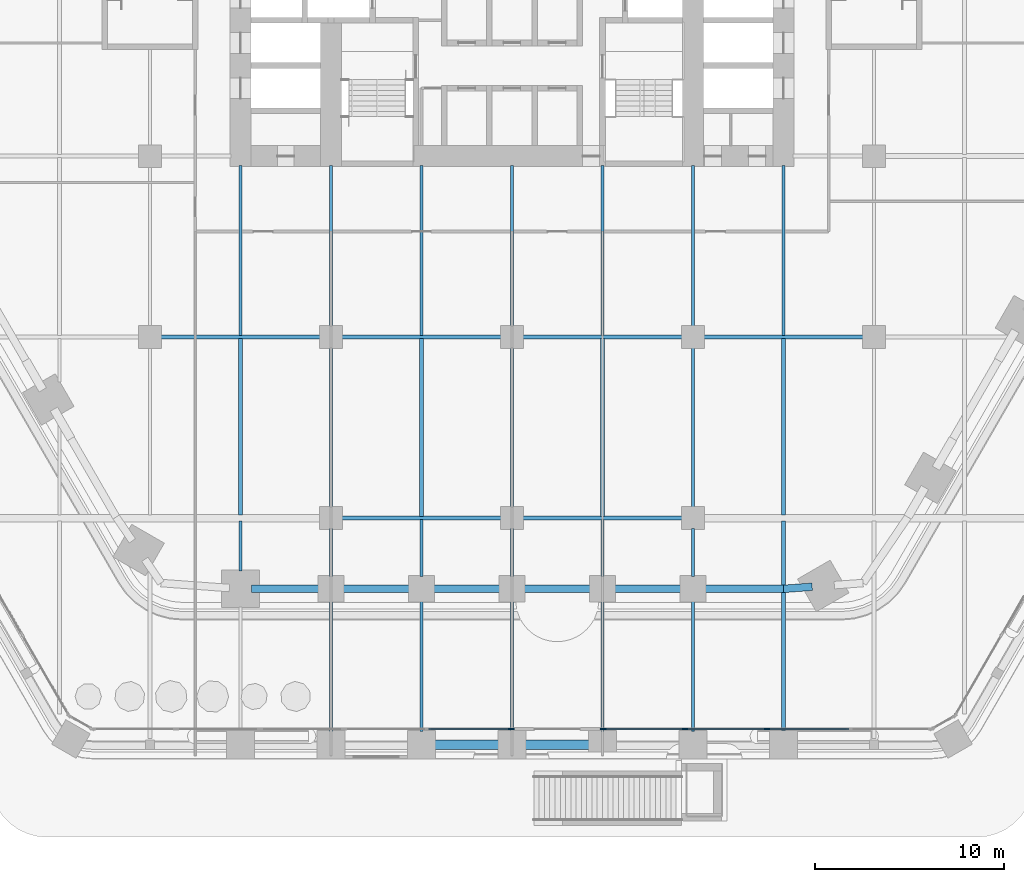
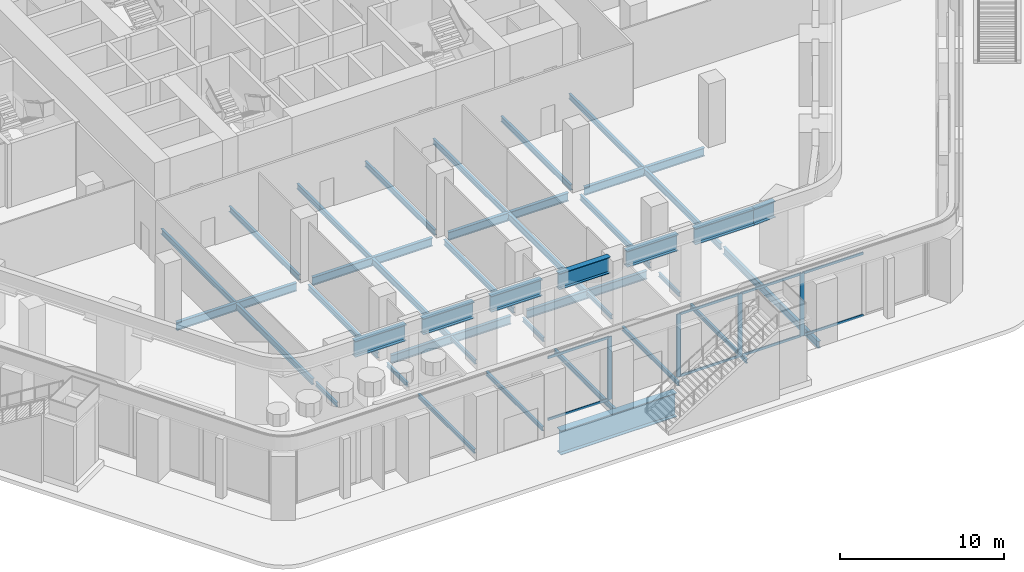
# One storey, part 3 of 34: 40 beams, 12 members, 2 elements without a shape of their own.
"""IFC4 building model written with IfcOpenShell, lengths in metres."""

import ifcopenshell
import ifcopenshell.guid

model = None  # the IFC model being written
_history = None  # IfcOwnerHistory: only IFC2X3 demands one
_inside = {}  # id of a spatial element -> (the spatial element, [elements in it])
_under = {}  # id of a project, library or spatial element -> (it, [spatial elements below it])
_declared = {}  # id of a project -> (the project, [libraries it declares])
_typed = {}  # id of a type object -> (the type object, [elements of that type])
_made_of = {}  # id of a material, layer set ... -> (it, [elements and type objects made of it])


def new_model(schema):
    """Start an empty IFC model of exactly this schema.

    Asked for "IFC4X3", IfcOpenShell would pick the latest addendum, in which some entities
    have other attributes; the version numbers below select the first issue.
    IFC2X3 requires an IfcOwnerHistory on every rooted entity: one is made here for all.
    """
    global model, _history
    if schema == "IFC4X3":
        model = ifcopenshell.file(schema_version=(4, 3, 0, 0))
    else:
        model = ifcopenshell.file(schema=schema)
    _inside.clear()
    _under.clear()
    _declared.clear()
    _typed.clear()
    _made_of.clear()
    _history = None
    if model.schema == "IFC2X3":
        org = make("IfcOrganization", Name="unknown")
        user = make(
            "IfcPersonAndOrganization",
            ThePerson=make("IfcPerson", FamilyName="unknown"),
            TheOrganization=org,
        )
        app = make(
            "IfcApplication",
            ApplicationDeveloper=org,
            Version="unknown",
            ApplicationFullName="unknown",
            ApplicationIdentifier="unknown",
        )
        _history = make(
            "IfcOwnerHistory",
            OwningUser=user,
            OwningApplication=app,
            ChangeAction="ADDED",
            CreationDate=0,
        )
    return model


def make(cls, **values):
    """One entity of the class cls with the attributes given. An attribute that is None is left unset."""
    return model.create_entity(
        cls, **{name: value for name, value in values.items() if value is not None}
    )


def rooted(cls, **values):
    """An entity with a GlobalId (a new one), such as an element, a storey or a relation."""
    return make(cls, GlobalId=ifcopenshell.guid.new(), OwnerHistory=_history, **values)


def si_unit(unit_type, name, prefix=None):
    """IfcSIUnit, for example si_unit("LENGTHUNIT", "METRE", prefix="MILLI")."""
    return make("IfcSIUnit", UnitType=unit_type, Prefix=prefix, Name=name)


def assignment(units):
    """IfcUnitAssignment: the units of a project."""
    return None if units is None else make("IfcUnitAssignment", Units=units)


def point(xyz):
    """IfcCartesianPoint."""
    return None if xyz is None else make("IfcCartesianPoint", Coordinates=xyz)


def direction(xyz):
    """IfcDirection."""
    return None if xyz is None else make("IfcDirection", DirectionRatios=xyz)


def frame(location, z_axis=None, x_axis=None):
    """IfcAxis2Placement3D, a coordinate frame: its origin and axes. An axis left out is left unset."""
    return make(
        "IfcAxis2Placement3D",
        Location=point(location),
        Axis=direction(z_axis),
        RefDirection=direction(x_axis),
    )


def frame_2d(location, x_axis=None):
    """IfcAxis2Placement2D, a coordinate frame in the plane: its origin and x axis."""
    return make(
        "IfcAxis2Placement2D", Location=point(location), RefDirection=direction(x_axis)
    )


def origin():
    """The frame at (0, 0, 0) with its axes left unset."""
    return frame((0.0, 0.0, 0.0))


def origin_2d():
    """The frame at (0, 0) in the plane with its x axis left unset."""
    return frame_2d((0.0, 0.0))


def place(relative_to, where):
    """IfcLocalPlacement: puts the frame where relative to a parent placement (None: the world)."""
    return make(
        "IfcLocalPlacement", PlacementRelTo=relative_to, RelativePlacement=where
    )


def context(
    kind, dimensions, precision=None, world=None, true_north=None, identifier=None
):
    """IfcGeometricRepresentationContext, for example the 3D "Model" context."""
    return make(
        "IfcGeometricRepresentationContext",
        ContextIdentifier=identifier,
        ContextType=kind,
        CoordinateSpaceDimension=dimensions,
        Precision=precision,
        WorldCoordinateSystem=world,
        TrueNorth=true_north,
    )


def subcontext(parent, identifier, kind, view, scale=None):
    """IfcGeometricRepresentationSubContext, for example "Body" below "Model"."""
    return make(
        "IfcGeometricRepresentationSubContext",
        ContextIdentifier=identifier,
        ContextType=kind,
        ParentContext=parent,
        TargetScale=scale,
        TargetView=view,
    )


def project(units=None, contexts=None):
    """IfcProject with its units and contexts."""
    return rooted(
        "IfcProject",
        Name="project",
        RepresentationContexts=contexts,
        UnitsInContext=assignment(units),
    )


def spatial(cls, under=None, at=None, **own):
    """A site, building, storey or space (cls), placed at a placement, below another one or the project."""
    s = rooted(cls, ObjectPlacement=at, **own)
    if under is not None:
        _under.setdefault(under.id(), (under, []))[1].append(s)
    return s


def profile(cls, at=None, kind="AREA", **sizes):
    """A parametric profile (cls). Its sizes go by their IFC names, for example OverallWidth=200.0."""
    return make(cls, ProfileType=kind, Position=at, **sizes)


def rectangle(**sizes):
    """IfcRectangleProfileDef."""
    return profile("IfcRectangleProfileDef", **sizes)


def i_section(**sizes):
    """IfcIShapeProfileDef."""
    return profile("IfcIShapeProfileDef", **sizes)


def extrude(swept, where, along, depth):
    """IfcExtrudedAreaSolid: the profile swept, set in the frame where, extruded along a direction by depth."""
    return make(
        "IfcExtrudedAreaSolid",
        SweptArea=swept,
        Position=where,
        ExtrudedDirection=direction(along),
        Depth=depth,
    )


def shape(context_of_items, identifier, shape_type, items):
    """IfcShapeRepresentation: the items that make up one representation, for example the "Body"."""
    return make(
        "IfcShapeRepresentation",
        ContextOfItems=context_of_items,
        RepresentationIdentifier=identifier,
        RepresentationType=shape_type,
        Items=items,
    )


def material(Name=None, Category=None):
    """IfcMaterial."""
    return make("IfcMaterial", Name=Name, Category=Category)


def material_profile(
    of_material, cross_section, Name=None, Category=None, Priority=None
):
    """IfcMaterialProfile: a cross section and its material."""
    return make(
        "IfcMaterialProfile",
        Name=Name,
        Material=of_material,
        Profile=cross_section,
        Priority=Priority,
        Category=Category,
    )


def profile_set(profiles, Name=None, composite=None):
    """IfcMaterialProfileSet."""
    return make(
        "IfcMaterialProfileSet",
        Name=Name,
        MaterialProfiles=profiles,
        CompositeProfile=composite,
    )


def made_of(thing, what):
    """Note that an element or type object is made of a material, layer set ...; save() writes the relation."""
    if what is not None:
        _made_of.setdefault(what.id(), (what, []))[1].append(thing)
    return thing


def type_object(cls, material=None, **own):
    """A type object (cls), such as IfcWallType, which elements share."""
    return made_of(rooted(cls, **own), material)


def element(
    cls,
    number,
    at=None,
    inside=None,
    cuts=None,
    type_object=None,
    material=None,
    context=None,
    identifier="Body",
    shape_type=None,
    held_by="IfcProductDefinitionShape",
    body=None,
    shapes=None,
    **own,
):
    """One element of the class cls, such as IfcWall. Its Tag is "e" and its number.

    at: its placement. inside: the storey or other place that contains it. cuts: it is an
    opening in that element (IfcRelVoidsElement). A single representation is given by context,
    identifier, shape_type and body (its items); several are given by shapes. held_by: the class
    of the entity that holds the representations. save() writes the other relations.
    """
    e = rooted(cls, Tag="e%d" % number, ObjectPlacement=at, **own)
    if body is not None:
        shapes = [shape(context, identifier, shape_type, body)]
    if shapes is not None:
        e.Representation = make(held_by, Representations=shapes)
    if inside is not None:
        _inside.setdefault(inside.id(), (inside, []))[1].append(e)
    if cuts is not None:
        rooted(
            "IfcRelVoidsElement", RelatingBuildingElement=cuts, RelatedOpeningElement=e
        )
    if type_object is not None:
        _typed.setdefault(type_object.id(), (type_object, []))[1].append(e)
    return made_of(e, material)


def aggregate(whole, parts):
    """IfcRelAggregates: a whole, such as a stair, and the parts it consists of."""
    return rooted("IfcRelAggregates", RelatingObject=whole, RelatedObjects=parts)


def save(model, path):
    """Write the relations noted so far, then the file.

    IfcRelAggregates (storeys below a building ...), IfcRelContainedInSpatialStructure (elements
    in a storey), IfcRelDefinesByType, IfcRelAssociatesMaterial and IfcRelDeclares: one each for
    every whole, place, type object, material and project.
    """
    for whole, parts in _under.values():
        aggregate(whole, parts)
    for where, things in _inside.values():
        rooted(
            "IfcRelContainedInSpatialStructure",
            RelatedElements=things,
            RelatingStructure=where,
        )
    for kind, things in _typed.values():
        rooted("IfcRelDefinesByType", RelatedObjects=things, RelatingType=kind)
    for what, things in _made_of.values():
        rooted("IfcRelAssociatesMaterial", RelatedObjects=things, RelatingMaterial=what)
    for by, libraries in _declared.values():
        rooted("IfcRelDeclares", RelatingContext=by, RelatedDefinitions=libraries)
    model.write(path)


model = new_model("IFC4")

# Units and contexts
model_context = context("Model", 3, precision=1e-05, world=origin(), true_north=direction((0.0, 1.0)))
body_context = subcontext(model_context, "Body", "Model", "MODEL_VIEW")
ifc_project = project(units=[si_unit("LENGTHUNIT", "METRE"), si_unit("AREAUNIT", "SQUARE_METRE"), si_unit("VOLUMEUNIT", "CUBIC_METRE"), si_unit("PLANEANGLEUNIT", "RADIAN"), si_unit("MASSUNIT", "GRAM", prefix="KILO")], contexts=[model_context])

# Site, building, storey
site_placement = place(None, origin())
site = spatial("IfcSite", under=ifc_project, at=site_placement, CompositionType="ELEMENT")
building_placement = place(site_placement, origin())
building = spatial("IfcBuilding", under=site, at=building_placement, Name="Kolab Exchange Tower", CompositionType="ELEMENT")
storey_placement = place(building_placement, frame((0.0, 0.0, 12.39990234375)))
storey = spatial("IfcBuildingStorey", under=building, at=storey_placement, Name="L02", CompositionType="ELEMENT", Elevation=12.39990234375)

# Beams
ifc_material_1 = material(Name="Steel S355", Category="steel")
ifc_material_profile_1 = material_profile(ifc_material_1, i_section(OverallWidth=0.1650390625, OverallDepth=0.31005859375, WebThickness=0.005859375, FlangeThickness=0.009765625, at=origin_2d()), Name="W310X39")
ifc_profile_set_1 = profile_set([ifc_material_profile_1], Name="Steel S355")
beam_type_1 = type_object("IfcBeamType", Name="FLOOR BEAM W310X39", PredefinedType="BEAM", material=ifc_profile_set_1)
beam_1_placement = place(storey_placement, frame((-14.39990234375, -31.595458984375, -0.454833984375), z_axis=(0.0, 1.0, 0.0), x_axis=(-1.0, 0.0, 0.0)))
element("IfcBeam", 1, at=beam_1_placement, inside=storey, type_object=beam_type_1, Name="beam/L02/fr/040", PredefinedType="BEAM", context=body_context, shape_type="SweptSolid", body=[
    extrude(i_section(OverallWidth=0.1650390625, OverallDepth=0.31005859375, WebThickness=0.005859375, FlangeThickness=0.009765625, at=origin_2d()), origin(), (0.0, 0.0, 1.0), 2.635498046875),
])
beam_2_placement = place(storey_placement, frame((-9.60009765625, -40.109130859375, -0.454833984375), z_axis=(0.0, 1.0, 0.0), x_axis=(-1.0, 0.0, 0.0)))
element("IfcBeam", 2, at=beam_2_placement, inside=storey, type_object=beam_type_1, Name="beam/L02/fr/046", PredefinedType="BEAM", context=body_context, shape_type="SweptSolid", body=[
    extrude(i_section(OverallWidth=0.1650390625, OverallDepth=0.31005859375, WebThickness=0.005859375, FlangeThickness=0.009765625, at=origin_2d()), origin(), (0.0, 0.0, 1.0), 6.893798828125),
])
beam_3_placement = place(storey_placement, frame((-9.60009765625, -31.8955078125, -0.454833984375), z_axis=(0.0, 1.0, 0.0), x_axis=(-1.0, 0.0, 0.0)))
element("IfcBeam", 3, at=beam_3_placement, inside=storey, type_object=beam_type_1, Name="beam/L02/fr/047", PredefinedType="BEAM", context=body_context, shape_type="SweptSolid", body=[
    extrude(i_section(OverallWidth=0.1650390625, OverallDepth=0.31005859375, WebThickness=0.005859375, FlangeThickness=0.009765625, at=origin_2d()), origin(), (0.0, 0.0, 1.0), 2.535400390625),
])
beam_4_placement = place(storey_placement, frame((-4.800048828125, -40.109130859375, -0.454833984375), z_axis=(0.0, 1.0, 0.0), x_axis=(-1.0, 0.0, 0.0)))
element("IfcBeam", 4, at=beam_4_placement, inside=storey, type_object=beam_type_1, Name="beam/L02/fr/053", PredefinedType="BEAM", context=body_context, shape_type="SweptSolid", body=[
    extrude(i_section(OverallWidth=0.1650390625, OverallDepth=0.31005859375, WebThickness=0.005859375, FlangeThickness=0.009765625, at=origin_2d()), origin(), (0.0, 0.0, 1.0), 6.893798828125),
])
beam_5_placement = place(storey_placement, frame((-4.800048828125, -31.8955078125, -0.454833984375), z_axis=(0.0, 1.0, 0.0), x_axis=(-1.0, 0.0, 0.0)))
element("IfcBeam", 5, at=beam_5_placement, inside=storey, type_object=beam_type_1, Name="beam/L02/fr/054", PredefinedType="BEAM", context=body_context, shape_type="SweptSolid", body=[
    extrude(i_section(OverallWidth=0.1650390625, OverallDepth=0.31005859375, WebThickness=0.005859375, FlangeThickness=0.009765625, at=origin_2d()), origin(), (0.0, 0.0, 1.0), 3.021484375),
])
beam_6_placement = place(storey_placement, frame((0.0, -31.8955078125, -0.454833984375), z_axis=(0.0, 1.0, 0.0), x_axis=(-1.0, 0.0, 0.0)))
element("IfcBeam", 6, at=beam_6_placement, inside=storey, type_object=beam_type_1, Name="beam/L02/fr/061", PredefinedType="BEAM", context=body_context, shape_type="SweptSolid", body=[
    extrude(i_section(OverallWidth=0.1650390625, OverallDepth=0.31005859375, WebThickness=0.005859375, FlangeThickness=0.009765625, at=origin_2d()), origin(), (0.0, 0.0, 1.0), 2.535400390625),
])
beam_7_placement = place(storey_placement, frame((4.800048828125, -40.109130859375, -0.454833984375), z_axis=(0.0, 1.0, 0.0), x_axis=(-1.0, 0.0, 0.0)))
element("IfcBeam", 7, at=beam_7_placement, inside=storey, type_object=beam_type_1, Name="beam/L02/fr/067", PredefinedType="BEAM", context=body_context, shape_type="SweptSolid", body=[
    extrude(i_section(OverallWidth=0.1650390625, OverallDepth=0.31005859375, WebThickness=0.005859375, FlangeThickness=0.009765625, at=origin_2d()), origin(), (0.0, 0.0, 1.0), 6.893798828125),
])
beam_8_placement = place(storey_placement, frame((4.800048828125, -31.8955078125, -0.454833984375), z_axis=(0.0, 1.0, 0.0), x_axis=(-1.0, 0.0, 0.0)))
element("IfcBeam", 8, at=beam_8_placement, inside=storey, type_object=beam_type_1, Name="beam/L02/fr/068", PredefinedType="BEAM", context=body_context, shape_type="SweptSolid", body=[
    extrude(i_section(OverallWidth=0.1650390625, OverallDepth=0.31005859375, WebThickness=0.005859375, FlangeThickness=0.009765625, at=origin_2d()), origin(), (0.0, 0.0, 1.0), 3.021484375),
])
beam_9_placement = place(storey_placement, frame((9.60009765625, -40.109130859375, -0.454833984375), z_axis=(0.0, 1.0, 0.0), x_axis=(-1.0, 0.0, 0.0)))
element("IfcBeam", 9, at=beam_9_placement, inside=storey, type_object=beam_type_1, Name="beam/L02/fr/074", PredefinedType="BEAM", context=body_context, shape_type="SweptSolid", body=[
    extrude(i_section(OverallWidth=0.1650390625, OverallDepth=0.31005859375, WebThickness=0.005859375, FlangeThickness=0.009765625, at=origin_2d()), origin(), (0.0, 0.0, 1.0), 6.893798828125),
])
beam_10_placement = place(storey_placement, frame((9.60009765625, -31.8955078125, -0.454833984375), z_axis=(0.0, 1.0, 0.0), x_axis=(-1.0, 0.0, 0.0)))
element("IfcBeam", 10, at=beam_10_placement, inside=storey, type_object=beam_type_1, Name="beam/L02/fr/075", PredefinedType="BEAM", context=body_context, shape_type="SweptSolid", body=[
    extrude(i_section(OverallWidth=0.1650390625, OverallDepth=0.31005859375, WebThickness=0.005859375, FlangeThickness=0.009765625, at=origin_2d()), origin(), (0.0, 0.0, 1.0), 2.535400390625),
])
ifc_material_profile_2 = material_profile(ifc_material_1, i_section(OverallWidth=0.1708984375, OverallDepth=0.35498046875, WebThickness=0.007080078125, FlangeThickness=0.01171875, at=origin_2d()), Name="W360X51")
ifc_profile_set_2 = profile_set([ifc_material_profile_2], Name="Steel S355")
beam_type_2 = type_object("IfcBeamType", Name="FLOOR BEAM W360X51", PredefinedType="BEAM", material=ifc_profile_set_2)
beam_11_placement = place(storey_placement, frame((0.0, -40.609130859375, -0.477294921875), z_axis=(0.0, 1.0, 0.0), x_axis=(-1.0, 0.0, 0.0)))
element("IfcBeam", 11, at=beam_11_placement, inside=storey, type_object=beam_type_2, Name="beam/L02/fr/060", PredefinedType="BEAM", context=body_context, shape_type="SweptSolid", body=[
    extrude(i_section(OverallWidth=0.1708984375, OverallDepth=0.35498046875, WebThickness=0.007080078125, FlangeThickness=0.01171875, at=origin_2d()), origin(), (0.0, 0.0, 1.0), 7.393798828125),
])
ifc_material_profile_3 = material_profile(ifc_material_1, i_section(OverallWidth=0.177978515625, OverallDepth=0.406982421875, WebThickness=0.0078125, FlangeThickness=0.0126953125, at=origin_2d()), Name="W410X60")
ifc_profile_set_3 = profile_set([ifc_material_profile_3], Name="Steel S355")
beam_type_3 = type_object("IfcBeamType", Name="FLOOR BEAM W410X60", PredefinedType="BEAM", material=ifc_profile_set_3)
beam_12_placement = place(storey_placement, frame((-14.39990234375, -19.1259765625, -0.50341796875), z_axis=(0.0, 1.0, 0.0), x_axis=(-1.0, 0.0, 0.0)))
element("IfcBeam", 12, at=beam_12_placement, inside=storey, type_object=beam_type_3, Name="beam/L02/fr/042", PredefinedType="BEAM", context=body_context, shape_type="SweptSolid", body=[
    extrude(i_section(OverallWidth=0.177978515625, OverallDepth=0.406982421875, WebThickness=0.0078125, FlangeThickness=0.0126953125, at=origin_2d()), origin(), (0.0, 0.0, 1.0), 9.015869140625),
])
beam_13_placement = place(storey_placement, frame((-9.60009765625, -28.239990234375, -0.50341796875), z_axis=(0.0, 1.0, 0.0), x_axis=(-1.0, 0.0, 0.0)))
element("IfcBeam", 13, at=beam_13_placement, inside=storey, type_object=beam_type_3, Name="beam/L02/fr/048", PredefinedType="BEAM", context=body_context, shape_type="SweptSolid", body=[
    extrude(i_section(OverallWidth=0.177978515625, OverallDepth=0.406982421875, WebThickness=0.0078125, FlangeThickness=0.0126953125, at=origin_2d()), origin(), (0.0, 0.0, 1.0), 8.47998046875),
])
beam_14_placement = place(storey_placement, frame((-9.60009765625, -18.639892578125, -0.50341796875), z_axis=(0.0, 1.0, 0.0), x_axis=(-1.0, 0.0, 0.0)))
element("IfcBeam", 14, at=beam_14_placement, inside=storey, type_object=beam_type_3, Name="beam/L02/fr/049", PredefinedType="BEAM", context=body_context, shape_type="SweptSolid", body=[
    extrude(i_section(OverallWidth=0.177978515625, OverallDepth=0.406982421875, WebThickness=0.0078125, FlangeThickness=0.0126953125, at=origin_2d()), origin(), (0.0, 0.0, 1.0), 8.52978515625),
])
beam_15_placement = place(storey_placement, frame((-4.800048828125, -19.1259765625, -0.50341796875), z_axis=(0.0, 1.0, 0.0), x_axis=(-1.0, 0.0, 0.0)))
element("IfcBeam", 15, at=beam_15_placement, inside=storey, type_object=beam_type_3, Name="beam/L02/fr/056", PredefinedType="BEAM", context=body_context, shape_type="SweptSolid", body=[
    extrude(i_section(OverallWidth=0.177978515625, OverallDepth=0.406982421875, WebThickness=0.0078125, FlangeThickness=0.0126953125, at=origin_2d()), origin(), (0.0, 0.0, 1.0), 9.015869140625),
])
beam_16_placement = place(storey_placement, frame((0.0, -28.239990234375, -0.50341796875), z_axis=(0.0, 1.0, 0.0), x_axis=(-1.0, 0.0, 0.0)))
element("IfcBeam", 16, at=beam_16_placement, inside=storey, type_object=beam_type_3, Name="beam/L02/fr/062", PredefinedType="BEAM", context=body_context, shape_type="SweptSolid", body=[
    extrude(i_section(OverallWidth=0.177978515625, OverallDepth=0.406982421875, WebThickness=0.0078125, FlangeThickness=0.0126953125, at=origin_2d()), origin(), (0.0, 0.0, 1.0), 8.47998046875),
])
beam_17_placement = place(storey_placement, frame((0.0, -18.639892578125, -0.50341796875), z_axis=(0.0, 1.0, 0.0), x_axis=(-1.0, 0.0, 0.0)))
element("IfcBeam", 17, at=beam_17_placement, inside=storey, type_object=beam_type_3, Name="beam/L02/fr/063", PredefinedType="BEAM", context=body_context, shape_type="SweptSolid", body=[
    extrude(i_section(OverallWidth=0.177978515625, OverallDepth=0.406982421875, WebThickness=0.0078125, FlangeThickness=0.0126953125, at=origin_2d()), origin(), (0.0, 0.0, 1.0), 8.52978515625),
])
beam_18_placement = place(storey_placement, frame((4.800048828125, -19.1259765625, -0.50341796875), z_axis=(0.0, 1.0, 0.0), x_axis=(-1.0, 0.0, 0.0)))
element("IfcBeam", 18, at=beam_18_placement, inside=storey, type_object=beam_type_3, Name="beam/L02/fr/070", PredefinedType="BEAM", context=body_context, shape_type="SweptSolid", body=[
    extrude(i_section(OverallWidth=0.177978515625, OverallDepth=0.406982421875, WebThickness=0.0078125, FlangeThickness=0.0126953125, at=origin_2d()), origin(), (0.0, 0.0, 1.0), 9.015869140625),
])
beam_19_placement = place(storey_placement, frame((9.60009765625, -28.239990234375, -0.50341796875), z_axis=(0.0, 1.0, 0.0), x_axis=(-1.0, 0.0, 0.0)))
element("IfcBeam", 19, at=beam_19_placement, inside=storey, type_object=beam_type_3, Name="beam/L02/fr/076", PredefinedType="BEAM", context=body_context, shape_type="SweptSolid", body=[
    extrude(i_section(OverallWidth=0.177978515625, OverallDepth=0.406982421875, WebThickness=0.0078125, FlangeThickness=0.0126953125, at=origin_2d()), origin(), (0.0, 0.0, 1.0), 8.47998046875),
])
beam_20_placement = place(storey_placement, frame((9.60009765625, -18.639892578125, -0.50341796875), z_axis=(0.0, 1.0, 0.0), x_axis=(-1.0, 0.0, 0.0)))
element("IfcBeam", 20, at=beam_20_placement, inside=storey, type_object=beam_type_3, Name="beam/L02/fr/077", PredefinedType="BEAM", context=body_context, shape_type="SweptSolid", body=[
    extrude(i_section(OverallWidth=0.177978515625, OverallDepth=0.406982421875, WebThickness=0.0078125, FlangeThickness=0.0126953125, at=origin_2d()), origin(), (0.0, 0.0, 1.0), 8.52978515625),
])
beam_21_placement = place(storey_placement, frame((14.39990234375, -19.1259765625, -0.50341796875), z_axis=(0.0, 1.0, 0.0), x_axis=(-1.0, 0.0, 0.0)))
element("IfcBeam", 21, at=beam_21_placement, inside=storey, type_object=beam_type_3, Name="beam/L02/fr/083", PredefinedType="BEAM", context=body_context, shape_type="SweptSolid", body=[
    extrude(i_section(OverallWidth=0.177978515625, OverallDepth=0.406982421875, WebThickness=0.0078125, FlangeThickness=0.0126953125, at=origin_2d()), origin(), (0.0, 0.0, 1.0), 9.015869140625),
])
ifc_material_profile_4 = material_profile(ifc_material_1, i_section(OverallWidth=0.18994140625, OverallDepth=0.45703125, WebThickness=0.009033203125, FlangeThickness=0.014404296875, at=origin_2d()), Name="W460X74")
ifc_profile_set_4 = profile_set([ifc_material_profile_4], Name="Steel S355")
beam_type_4 = type_object("IfcBeamType", Name="FLOOR BEAM W460X74", PredefinedType="BEAM", material=ifc_profile_set_4)
beam_22_placement = place(storey_placement, frame((-14.39990234375, -28.639892578125, -0.5283203125), z_axis=(0.0, 1.0, 0.0), x_axis=(-1.0, 0.0, 0.0)))
element("IfcBeam", 22, at=beam_22_placement, inside=storey, type_object=beam_type_4, Name="beam/L02/fr/041", PredefinedType="BEAM", context=body_context, shape_type="SweptSolid", body=[
    extrude(i_section(OverallWidth=0.18994140625, OverallDepth=0.45703125, WebThickness=0.009033203125, FlangeThickness=0.014404296875, at=origin_2d()), origin(), (0.0, 0.0, 1.0), 9.365966796875),
])
for number, where, z_axis, x_axis, name in (
    (23, (-4.800048828125, -28.72607421875, -0.5283203125), (0.0, 1.0, 0.0), (-1.0, 0.0, 0.0), "beam/L02/fr/055"),
    (24, (4.800048828125, -28.72607421875, -0.5283203125), (0.0, 1.0, 0.0), (-1.0, 0.0, 0.0), "beam/L02/fr/069"),
):
    element("IfcBeam", number, at=place(storey_placement, frame(where, z_axis=z_axis, x_axis=x_axis)), inside=storey, type_object=beam_type_4, Name=name, PredefinedType="BEAM", context=body_context, shape_type="SweptSolid", body=[
        extrude(i_section(OverallWidth=0.18994140625, OverallDepth=0.45703125, WebThickness=0.009033203125, FlangeThickness=0.014404296875, at=origin_2d()), origin(), (0.0, 0.0, 1.0), 9.4521484375),
    ])
beam_23_placement = place(storey_placement, frame((14.39990234375, -28.639892578125, -0.5283203125), z_axis=(0.0, 1.0, 0.0), x_axis=(-1.0, 0.0, 0.0)))
element("IfcBeam", 25, at=beam_23_placement, inside=storey, type_object=beam_type_4, Name="beam/L02/fr/082", PredefinedType="BEAM", context=body_context, shape_type="SweptSolid", body=[
    extrude(i_section(OverallWidth=0.18994140625, OverallDepth=0.45703125, WebThickness=0.009033203125, FlangeThickness=0.014404296875, at=origin_2d()), origin(), (0.0, 0.0, 1.0), 9.365966796875),
])
ifc_material_profile_5 = material_profile(ifc_material_1, i_section(OverallWidth=0.208984375, OverallDepth=0.532958984375, WebThickness=0.01025390625, FlangeThickness=0.015625, at=origin_2d()), Name="W530X92")
ifc_profile_set_5 = profile_set([ifc_material_profile_5], Name="Steel S355")
beam_type_5 = type_object("IfcBeamType", Name="FLOOR BEAM W530X92", PredefinedType="BEAM", material=ifc_profile_set_5)
beam_24_placement = place(storey_placement, frame((14.39990234375, -40.6591796875, -0.56640625), z_axis=(0.0, 1.0, 0.0), x_axis=(-1.0, 0.0, 0.0)))
element("IfcBeam", 26, at=beam_24_placement, inside=storey, type_object=beam_type_5, Name="beam/L02/fr/081", PredefinedType="BEAM", context=body_context, shape_type="SweptSolid", body=[
    extrude(i_section(OverallWidth=0.208984375, OverallDepth=0.532958984375, WebThickness=0.01025390625, FlangeThickness=0.015625, at=origin_2d()), origin(), (0.0, 0.0, 1.0), 11.69921875),
])
ifc_material_profile_6 = material_profile(ifc_material_1, i_section(OverallWidth=0.22802734375, OverallDepth=0.60791015625, WebThickness=0.01123046875, FlangeThickness=0.017333984375, at=origin_2d()), Name="W610X113")
ifc_profile_set_6 = profile_set([ifc_material_profile_6], Name="Steel S355")
beam_type_6 = type_object("IfcBeamType", Name="FLOOR GIRDER W610X113", PredefinedType="BEAM", material=ifc_profile_set_6)
for number, where, z_axis, x_axis, name in (
    (27, (-18.639892578125, -19.199951171875, -0.60400390625), (1.0, 0.0, 0.0), (0.0, 1.0, 0.0), "beam/L02/gd/014"),
    (28, (-9.0400390625, -28.800048828125, -0.60400390625), (1.0, 0.0, 0.0), (0.0, 1.0, 0.0), "beam/L02/gd/019"),
    (29, (-9.0400390625, -19.199951171875, -0.60400390625), (1.0, 0.0, 0.0), (0.0, 1.0, 0.0), "beam/L02/gd/020"),
    (30, (0.56005859375, -28.800048828125, -0.60400390625), (1.0, 0.0, 0.0), (0.0, 1.0, 0.0), "beam/L02/gd/023"),
    (31, (0.56005859375, -19.199951171875, -0.60400390625), (1.0, 0.0, 0.0), (0.0, 1.0, 0.0), "beam/L02/gd/024"),
    (32, (10.159912109375, -19.199951171875, -0.60400390625), (1.0, 0.0, 0.0), (0.0, 1.0, 0.0), "beam/L02/gd/028"),
):
    element("IfcBeam", number, at=place(storey_placement, frame(where, z_axis=z_axis, x_axis=x_axis)), inside=storey, type_object=beam_type_6, Name=name, PredefinedType="BEAM", context=body_context, shape_type="SweptSolid", body=[
        extrude(i_section(OverallWidth=0.22802734375, OverallDepth=0.60791015625, WebThickness=0.01123046875, FlangeThickness=0.017333984375, at=origin_2d()), origin(), (0.0, 0.0, 1.0), 8.47998046875),
    ])

# Curtain wall, members
ifc_material_2 = material(Name="Aluminium EN AW-6063 T6", Category="aluminium")
curtain_wall_type = type_object("IfcCurtainWallType", Name="PODIUM STRUCTURAL GLAZING CURTAIN WALL", PredefinedType="NOTDEFINED", material=ifc_material_2)
curtain_wall_1_placement = place(storey_placement, origin())
curtain_wall_1 = element("IfcCurtainWall", 33, at=curtain_wall_1_placement, inside=storey, type_object=curtain_wall_type, Name="cw/L02/F4-1", PredefinedType="NOTDEFINED")
ifc_material_profile_7 = material_profile(ifc_material_2, rectangle(XDim=0.080078125, YDim=0.300048828125, at=origin_2d()), Name="RECT 80X300")
ifc_profile_set_7 = profile_set([ifc_material_profile_7], Name="Aluminium EN AW-6063 T6")
member_type_1 = type_object("IfcMemberType", Name="PODIUM STRUCTURAL GLAZING MULLION 80 X 300", PredefinedType="MULLION", material=ifc_profile_set_7)
member_1_placement = place(storey_placement, frame((13.533935546875, -39.9892578125, 0.0), z_axis=(0.0, 0.0, 1.0), x_axis=(0.0, -1.0, 0.0)))
member_1 = element("IfcMember", 34, at=member_1_placement, type_object=member_type_1, Name="CW5 mullion 3", PredefinedType="MULLION", context=body_context, shape_type="SweptSolid", body=[
    extrude(rectangle(XDim=0.080078125, YDim=0.300048828125, at=origin_2d()), origin(), (0.0, 0.0, 1.0), 4.7001953125),
])
member_2_placement = place(storey_placement, frame((9.1669921875, -39.9892578125, 0.0), z_axis=(0.0, 0.0, 1.0), x_axis=(0.0, -1.0, 0.0)))
member_2 = element("IfcMember", 35, at=member_2_placement, type_object=member_type_1, Name="CW5 mullion 4", PredefinedType="MULLION", context=body_context, shape_type="SweptSolid", body=[
    extrude(rectangle(XDim=0.080078125, YDim=0.300048828125, at=origin_2d()), origin(), (0.0, 0.0, 1.0), 4.7001953125),
])
member_3_placement = place(storey_placement, frame((4.840087890625, -39.9892578125, 0.0), z_axis=(0.0, 0.0, 1.0), x_axis=(0.0, -1.0, 0.0)))
member_3 = element("IfcMember", 36, at=member_3_placement, type_object=member_type_1, Name="CW5 mullion 5", PredefinedType="MULLION", context=body_context, shape_type="SweptSolid", body=[
    extrude(rectangle(XDim=0.080078125, YDim=0.300048828125, at=origin_2d()), origin(), (0.0, 0.0, 1.0), 4.7001953125),
])

# Curtain wall, member
curtain_wall_2_placement = place(storey_placement, origin())
curtain_wall_2 = element("IfcCurtainWall", 37, at=curtain_wall_2_placement, inside=storey, type_object=curtain_wall_type, Name="cw/L02/F4-2", PredefinedType="NOTDEFINED")
member_4_placement = place(storey_placement, frame((-0.0400390625, -39.9892578125, 0.0), z_axis=(0.0, 0.0, 1.0), x_axis=(0.0, -1.0, 0.0)))
member_4 = element("IfcMember", 38, at=member_4_placement, type_object=member_type_1, Name="CW5 mullion 1", PredefinedType="MULLION", context=body_context, shape_type="SweptSolid", body=[
    extrude(rectangle(XDim=0.080078125, YDim=0.300048828125, at=origin_2d()), origin(), (0.0, 0.0, 1.0), 4.7001953125),
])

# Member
ifc_material_profile_8 = material_profile(ifc_material_2, rectangle(XDim=0.080078125, YDim=0.179931640625, at=origin_2d()), Name="RECT 80X180")
ifc_profile_set_8 = profile_set([ifc_material_profile_8], Name="Aluminium EN AW-6063 T6")
member_type_2 = type_object("IfcMemberType", Name="PODIUM STRUCTURAL GLAZING TRANSOM 80 X 180", PredefinedType="USERDEFINED", material=ifc_profile_set_8)
member_5_placement = place(storey_placement, frame((17.86083984375, -39.9892578125, 0.0400390625), z_axis=(-1.0, 0.0, 0.0), x_axis=(0.0, -1.0, 0.0)))
member_5 = element("IfcMember", 39, at=member_5_placement, type_object=member_type_2, Name="CW5 transom 2.1", ObjectType="TRANSOM", PredefinedType="USERDEFINED", context=body_context, shape_type="SweptSolid", body=[
    extrude(rectangle(XDim=0.080078125, YDim=0.179931640625, at=origin_2d()), origin(), (0.0, 0.0, 1.0), 4.286865234375),
])

member_6_placement = place(storey_placement, frame((17.86083984375, -39.9892578125, 4.66015625), z_axis=(-1.0, 0.0, 0.0), x_axis=(0.0, -1.0, 0.0)))
member_6 = element("IfcMember", 40, at=member_6_placement, type_object=member_type_2, Name="CW5 transom 2.2", ObjectType="TRANSOM", PredefinedType="USERDEFINED", context=body_context, shape_type="SweptSolid", body=[
    extrude(rectangle(XDim=0.080078125, YDim=0.179931640625, at=origin_2d()), origin(), (0.0, 0.0, 1.0), 4.286865234375),
])

member_7_placement = place(storey_placement, frame((13.493896484375, -39.9892578125, 0.0400390625), z_axis=(-1.0, 0.0, 0.0), x_axis=(0.0, -1.0, 0.0)))
member_7 = element("IfcMember", 41, at=member_7_placement, type_object=member_type_2, Name="CW5 transom 3.1", ObjectType="TRANSOM", PredefinedType="USERDEFINED", context=body_context, shape_type="SweptSolid", body=[
    extrude(rectangle(XDim=0.080078125, YDim=0.179931640625, at=origin_2d()), origin(), (0.0, 0.0, 1.0), 4.286865234375),
])

member_8_placement = place(storey_placement, frame((13.493896484375, -39.9892578125, 4.66015625), z_axis=(-1.0, 0.0, 0.0), x_axis=(0.0, -1.0, 0.0)))
member_8 = element("IfcMember", 42, at=member_8_placement, type_object=member_type_2, Name="CW5 transom 3.2", ObjectType="TRANSOM", PredefinedType="USERDEFINED", context=body_context, shape_type="SweptSolid", body=[
    extrude(rectangle(XDim=0.080078125, YDim=0.179931640625, at=origin_2d()), origin(), (0.0, 0.0, 1.0), 4.286865234375),
])

member_9_placement = place(storey_placement, frame((9.126953125, -39.9892578125, 0.0400390625), z_axis=(-1.0, 0.0, 0.0), x_axis=(0.0, -1.0, 0.0)))
member_9 = element("IfcMember", 43, at=member_9_placement, type_object=member_type_2, Name="CW5 transom 4.1", ObjectType="TRANSOM", PredefinedType="USERDEFINED", context=body_context, shape_type="SweptSolid", body=[
    extrude(rectangle(XDim=0.080078125, YDim=0.179931640625, at=origin_2d()), origin(), (0.0, 0.0, 1.0), 4.2470703125),
])

member_10_placement = place(storey_placement, frame((9.126953125, -39.9892578125, 4.66015625), z_axis=(-1.0, 0.0, 0.0), x_axis=(0.0, -1.0, 0.0)))
member_10 = element("IfcMember", 44, at=member_10_placement, type_object=member_type_2, Name="CW5 transom 4.2", ObjectType="TRANSOM", PredefinedType="USERDEFINED", context=body_context, shape_type="SweptSolid", body=[
    extrude(rectangle(XDim=0.080078125, YDim=0.179931640625, at=origin_2d()), origin(), (0.0, 0.0, 1.0), 4.2470703125),
])

aggregate(curtain_wall_1, [member_1, member_2, member_3, member_5, member_6, member_7, member_8, member_9, member_10])

member_11_placement = place(storey_placement, frame((-0.080078125, -39.9892578125, 0.0400390625), z_axis=(-1.0, 0.0, 0.0), x_axis=(0.0, -1.0, 0.0)))
member_11 = element("IfcMember", 45, at=member_11_placement, type_object=member_type_2, Name="CW5 transom 1.1", ObjectType="TRANSOM", PredefinedType="USERDEFINED", context=body_context, shape_type="SweptSolid", body=[
    extrude(rectangle(XDim=0.080078125, YDim=0.179931640625, at=origin_2d()), origin(), (0.0, 0.0, 1.0), 4.33349609375),
])

member_12_placement = place(storey_placement, frame((-0.080078125, -39.9892578125, 4.66015625), z_axis=(-1.0, 0.0, 0.0), x_axis=(0.0, -1.0, 0.0)))
member_12 = element("IfcMember", 46, at=member_12_placement, type_object=member_type_2, Name="CW5 transom 1.2", ObjectType="TRANSOM", PredefinedType="USERDEFINED", context=body_context, shape_type="SweptSolid", body=[
    extrude(rectangle(XDim=0.080078125, YDim=0.179931640625, at=origin_2d()), origin(), (0.0, 0.0, 1.0), 4.33349609375),
])

aggregate(curtain_wall_2, [member_4, member_11, member_12])

# Beams
ifc_material_profile_9 = material_profile(ifc_material_1, i_section(OverallWidth=0.39990234375, OverallDepth=1.199951171875, WebThickness=0.02490234375, FlangeThickness=0.0400390625, at=origin_2d()), Name="PG1200X400")
ifc_profile_set_9 = profile_set([ifc_material_profile_9], Name="Steel S355")
beam_type_7 = type_object("IfcBeamType", Name="TRANSFER GIRDER PG1200X400", PredefinedType="BEAM", material=ifc_profile_set_9)
beam_25_placement = place(storey_placement, frame((15.92041015625, -32.4443359375, 4.150146484375), z_axis=(-0.997341961039, -0.072862972427, 0.0), x_axis=(0.072862972427, -0.997341961039, 0.0)))
element("IfcBeam", 47, at=beam_25_placement, inside=storey, type_object=beam_type_7, Name="beam/L02/tg/T-F4-02", PredefinedType="BEAM", context=body_context, shape_type="SweptSolid", body=[
    extrude(i_section(OverallWidth=0.39990234375, OverallDepth=1.199951171875, WebThickness=0.02490234375, FlangeThickness=0.0400390625, at=origin_2d()), origin(), (0.0, 0.0, 1.0), 1.524658203125),
])
beam_26_placement = place(storey_placement, frame((14.39990234375, -32.555419921875, 4.150146484375), z_axis=(-1.0, 0.0, 0.0), x_axis=(0.0, -1.0, 0.0)))
element("IfcBeam", 48, at=beam_26_placement, inside=storey, type_object=beam_type_7, Name="beam/L02/tg/T-F4-02-F4-03", PredefinedType="BEAM", context=body_context, shape_type="SweptSolid", body=[
    extrude(i_section(OverallWidth=0.39990234375, OverallDepth=1.199951171875, WebThickness=0.02490234375, FlangeThickness=0.0400390625, at=origin_2d()), origin(), (0.0, 0.0, 1.0), 4.2099609375),
])
beam_27_placement = place(storey_placement, frame((9.010009765625, -32.555419921875, 4.150146484375), z_axis=(-1.0, 0.0, 0.0), x_axis=(0.0, -1.0, 0.0)))
element("IfcBeam", 49, at=beam_27_placement, inside=storey, type_object=beam_type_7, Name="beam/L02/tg/T-F4-03-F4-04", PredefinedType="BEAM", context=body_context, shape_type="SweptSolid", body=[
    extrude(i_section(OverallWidth=0.39990234375, OverallDepth=1.199951171875, WebThickness=0.02490234375, FlangeThickness=0.0400390625, at=origin_2d()), origin(), (0.0, 0.0, 1.0), 3.6201171875),
])
for number, where, z_axis, x_axis, name in (
    (50, (4.2099609375, -32.555419921875, 4.150146484375), (-1.0, 0.0, 0.0), (0.0, -1.0, 0.0), "beam/L02/tg/T-F4-04-F4-05"),
    (51, (-0.590087890625, -32.555419921875, 4.150146484375), (-1.0, 0.0, 0.0), (0.0, -1.0, 0.0), "beam/L02/tg/T-F4-05-F4-06"),
):
    element("IfcBeam", number, at=place(storey_placement, frame(where, z_axis=z_axis, x_axis=x_axis)), inside=storey, type_object=beam_type_7, Name=name, PredefinedType="BEAM", context=body_context, shape_type="SweptSolid", body=[
        extrude(i_section(OverallWidth=0.39990234375, OverallDepth=1.199951171875, WebThickness=0.02490234375, FlangeThickness=0.0400390625, at=origin_2d()), origin(), (0.0, 0.0, 1.0), 3.619873046875),
    ])
for number, where, z_axis, x_axis, name in (
    (52, (-5.389892578125, -32.555419921875, 4.150146484375), (-1.0, 0.0, 0.0), (0.0, -1.0, 0.0), "beam/L02/tg/T-F4-06-F4-07"),
    (53, (-10.18994140625, -32.555419921875, 4.150146484375), (-1.0, 0.0, 0.0), (0.0, -1.0, 0.0), "beam/L02/tg/T-F4-07-F4-08"),
):
    element("IfcBeam", number, at=place(storey_placement, frame(where, z_axis=z_axis, x_axis=x_axis)), inside=storey, type_object=beam_type_7, Name=name, PredefinedType="BEAM", context=body_context, shape_type="SweptSolid", body=[
        extrude(i_section(OverallWidth=0.39990234375, OverallDepth=1.199951171875, WebThickness=0.02490234375, FlangeThickness=0.0400390625, at=origin_2d()), origin(), (0.0, 0.0, 1.0), 3.6201171875),
    ])
ifc_material_profile_10 = material_profile(ifc_material_1, i_section(OverallWidth=0.5, OverallDepth=1.800048828125, WebThickness=0.031982421875, FlangeThickness=0.050048828125, at=origin_2d()), Name="PG1800X500")
ifc_profile_set_10 = profile_set([ifc_material_profile_10], Name="Steel S355")
beam_type_8 = type_object("IfcBeamType", Name="TRANSFER GIRDER PG1800X500", PredefinedType="BEAM", material=ifc_profile_set_10)
beam_28_placement = place(storey_placement, frame((-4.090087890625, -40.8193359375, -1.199951171875), z_axis=(1.0, 0.0, 0.0), x_axis=(0.0, 1.0, 0.0)))
element("IfcBeam", 54, at=beam_28_placement, inside=storey, type_object=beam_type_8, Name="beam/L02/dock-P2", PredefinedType="BEAM", context=body_context, shape_type="SweptSolid", body=[
    extrude(i_section(OverallWidth=0.5, OverallDepth=1.800048828125, WebThickness=0.031982421875, FlangeThickness=0.050048828125, at=origin_2d()), origin(), (0.0, 0.0, 1.0), 8.18017578125),
])

save(model, "model.ifc")
